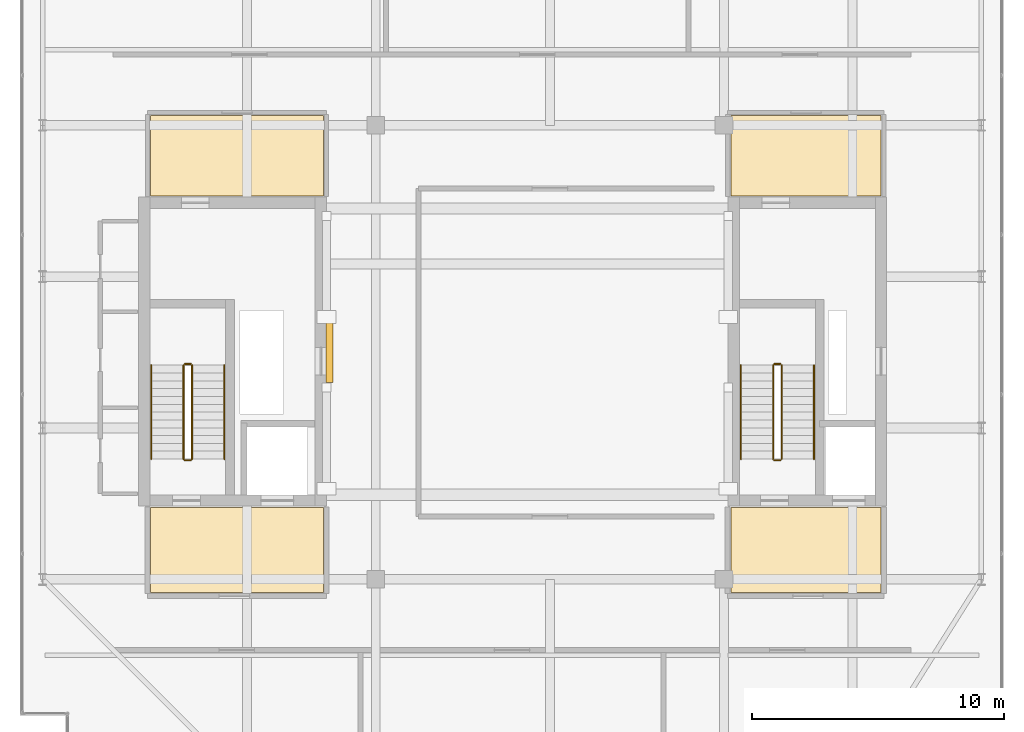
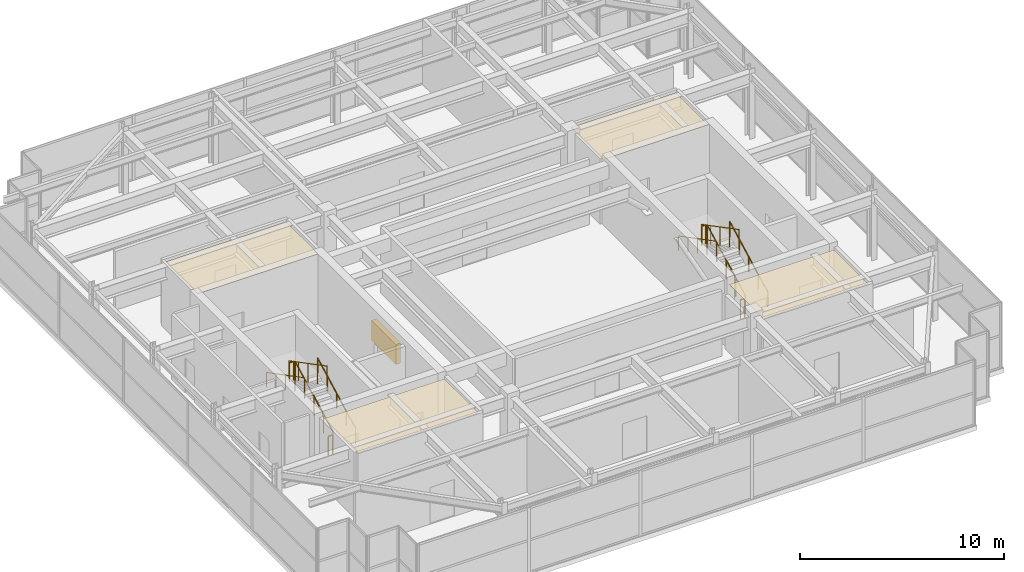
# One storey, part 32 of 32: 12 railings, 4 coverings, 1 shading device.
"""IFC4 building model written with IfcOpenShell, lengths in metres."""

from ifc_helpers import new_model, si_unit, direction, frame, origin, origin_2d, place, context, subcontext, project, spatial, polyline, rectangle, circle, outline, extrude, source, transform, mapped, material, layer, layer_set, type_object, element, save


model = new_model("IFC4")

# Units and contexts
model_context = context("Model", 3, precision=1e-05, world=origin(), true_north=direction((0.0, 1.0)))
body_context = subcontext(model_context, "Body", "Model", "MODEL_VIEW")
ifc_project = project(units=[si_unit("LENGTHUNIT", "METRE"), si_unit("AREAUNIT", "SQUARE_METRE"), si_unit("VOLUMEUNIT", "CUBIC_METRE"), si_unit("PLANEANGLEUNIT", "RADIAN"), si_unit("MASSUNIT", "GRAM", prefix="KILO")], contexts=[model_context])

# Site, building, storey
site_placement = place(None, origin())
site = spatial("IfcSite", under=ifc_project, at=site_placement, CompositionType="ELEMENT")
building_placement = place(site_placement, origin())
building = spatial("IfcBuilding", under=site, at=building_placement, Name="Khoralis Quay Care Tower", CompositionType="ELEMENT")
storey_placement = place(building_placement, frame((0.0, 0.0, 297.89990234375)))
storey = spatial("IfcBuildingStorey", under=building, at=storey_placement, Name="L78", CompositionType="ELEMENT", Elevation=297.89990234375)

# Coverings
ifc_material_1 = material(Name="Mineral-fibre acoustic ceiling tile")
ifc_layer_1 = layer(ifc_material_1, 0.01806640625)
ifc_layer_set_1 = layer_set([ifc_layer_1], Name="Mineral-fibre acoustic ceiling tile")
covering_type = type_object("IfcCoveringType", Name="COV-CEIL-AC18", PredefinedType="CEILING", material=ifc_layer_set_1)
covering_1_placement = place(storey_placement, frame((0.0, 0.0, 3.772216796875)))
element("IfcCovering", 1, at=covering_1_placement, inside=storey, type_object=covering_type, Name="Suspended Acoustic Ceiling SP-L78-FFLOB-W", PredefinedType="CEILING", context=body_context, shape_type="SweptSolid", body=[
    extrude(outline(polyline([(8.179931640625, 11.47998046875), (15.02001953125, 11.47998046875), (15.02001953125, 14.85009765625), (8.179931640625, 14.85009765625), (8.179931640625, 11.47998046875)])), origin(), (0.0, 0.0, 1.0), 0.017822265625),
])
covering_2_placement = place(storey_placement, frame((0.0, 0.0, 3.772216796875)))
element("IfcCovering", 2, at=covering_2_placement, inside=storey, type_object=covering_type, Name="Suspended Acoustic Ceiling SP-L78-FFLOB-E", PredefinedType="CEILING", context=body_context, shape_type="SweptSolid", body=[
    extrude(outline(polyline([(31.179931640625, 11.47998046875), (37.1201171875, 11.47998046875), (37.1201171875, 14.85009765625), (31.179931640625, 14.85009765625), (31.179931640625, 11.47998046875)])), origin(), (0.0, 0.0, 1.0), 0.017822265625),
])
covering_3_placement = place(storey_placement, frame((0.0, 0.0, 3.772216796875)))
element("IfcCovering", 3, at=covering_3_placement, inside=storey, type_object=covering_type, Name="Suspended Acoustic Ceiling SP-L78-LLOB-W", PredefinedType="CEILING", context=body_context, shape_type="SweptSolid", body=[
    extrude(outline(polyline([(8.179931640625, 27.199951171875), (15.02001953125, 27.199951171875), (15.02001953125, 30.389892578125), (8.179931640625, 30.389892578125), (8.179931640625, 27.199951171875)])), origin(), (0.0, 0.0, 1.0), 0.017822265625),
])
covering_4_placement = place(storey_placement, frame((0.0, 0.0, 3.772216796875)))
element("IfcCovering", 4, at=covering_4_placement, inside=storey, type_object=covering_type, Name="Suspended Acoustic Ceiling SP-L78-LLOB-E", PredefinedType="CEILING", context=body_context, shape_type="SweptSolid", body=[
    extrude(outline(polyline([(31.179931640625, 27.199951171875), (37.1201171875, 27.199951171875), (37.1201171875, 30.389892578125), (31.179931640625, 30.389892578125), (31.179931640625, 27.199951171875)])), origin(), (0.0, 0.0, 1.0), 0.017822265625),
])

# Railings
ifc_material_2 = material(Name="Brushed stainless steel", Category="steel")
railing_type_1 = type_object("IfcRailingType", Name="RL-GUARD-1150", PredefinedType="GUARDRAIL", material=ifc_material_2)
railing_1_placement = place(storey_placement, frame((9.820068359375, 16.77001953125, 0.16162109375)))
element("IfcRailing", 5, at=railing_1_placement, inside=storey, type_object=railing_type_1, Name="L78 ST-T1 stair guard 1", PredefinedType="GUARDRAIL", context=body_context, shape_type="SweptSolid", body=[
    extrude(circle(Radius=0.02392578125, at=origin_2d()), frame((0.0, 0.0, 1.1259765625), z_axis=(0.0, 0.886817194535, 0.462120399331), x_axis=(-1.0, 0.0, 0.0)), (0.0, 0.0, 1.0), 4.19482421875),
    extrude(circle(Radius=0.02099609375, at=origin_2d()), origin(), (0.0, 0.0, 1.0), 1.101806640625),
    extrude(circle(Radius=0.02099609375, at=origin_2d()), frame((0.0, 0.929931640625, 0.484619140625)), (0.0, 0.0, 1.0), 1.101806640625),
    extrude(circle(Radius=0.02099609375, at=origin_2d()), frame((0.0, 1.85986328125, 0.96923828125)), (0.0, 0.0, 1.0), 1.101806640625),
    extrude(circle(Radius=0.02099609375, at=origin_2d()), frame((0.0, 2.7900390625, 1.453857421875)), (0.0, 0.0, 1.0), 1.101806640625),
    extrude(circle(Radius=0.02099609375, at=origin_2d()), frame((0.0, 3.719970703125, 1.9384765625)), (0.0, 0.0, 1.0), 1.101806640625),
])
railing_2_placement = place(storey_placement, frame((9.77001953125, 20.5400390625, 2.10009765625)))
element("IfcRailing", 6, at=railing_2_placement, inside=storey, type_object=railing_type_1, Name="L78 ST-T1 stair guard 2", PredefinedType="GUARDRAIL", context=body_context, shape_type="SweptSolid", body=[
    extrude(circle(Radius=0.02392578125, at=origin_2d()), frame((0.0, 0.0, 1.1259765625), z_axis=(-1.0, 0.0, 0.0), x_axis=(0.0, -1.0, 0.0)), (0.0, 0.0, 1.0), 0.239990234375),
    extrude(circle(Radius=0.02099609375, at=origin_2d()), origin(), (0.0, 0.0, 1.0), 1.101806640625),
    extrude(circle(Radius=0.02099609375, at=origin_2d()), frame((-0.239990234375, 0.0, 0.0)), (0.0, 0.0, 1.0), 1.101806640625),
])
railing_3_placement = place(storey_placement, frame((9.47998046875, 20.489990234375, 2.26171875)))
element("IfcRailing", 7, at=railing_3_placement, inside=storey, type_object=railing_type_1, Name="L78 ST-T1 stair guard 3", PredefinedType="GUARDRAIL", context=body_context, shape_type="SweptSolid", body=[
    extrude(circle(Radius=0.02392578125, at=origin_2d()), frame((0.0, 0.0, 1.1259765625), z_axis=(0.0, -0.886817194535, 0.462120399331), x_axis=(1.0, 0.0, 0.0)), (0.0, 0.0, 1.0), 4.19482421875),
    extrude(circle(Radius=0.02099609375, at=origin_2d()), origin(), (0.0, 0.0, 1.0), 1.101806640625),
    extrude(circle(Radius=0.02099609375, at=origin_2d()), frame((0.0, -0.929931640625, 0.484619140625)), (0.0, 0.0, 1.0), 1.101806640625),
    extrude(circle(Radius=0.02099609375, at=origin_2d()), frame((0.0, -1.85986328125, 0.96923828125)), (0.0, 0.0, 1.0), 1.101806640625),
    extrude(circle(Radius=0.02099609375, at=origin_2d()), frame((0.0, -2.7900390625, 1.453857421875)), (0.0, 0.0, 1.0), 1.101806640625),
    extrude(circle(Radius=0.02099609375, at=origin_2d()), frame((0.0, -3.719970703125, 1.9384765625)), (0.0, 0.0, 1.0), 1.101806640625),
])
railing_4_placement = place(storey_placement, frame((9.77001953125, 16.719970703125, 0.0)))
element("IfcRailing", 8, at=railing_4_placement, inside=storey, type_object=railing_type_1, Name="L78 ST-T1 stair guard 4", PredefinedType="GUARDRAIL", context=body_context, shape_type="SweptSolid", body=[
    extrude(circle(Radius=0.02392578125, at=origin_2d()), frame((0.0, 0.0, 1.1259765625), z_axis=(-1.0, 0.0, 0.0), x_axis=(0.0, -1.0, 0.0)), (0.0, 0.0, 1.0), 0.239990234375),
    extrude(circle(Radius=0.02099609375, at=origin_2d()), origin(), (0.0, 0.0, 1.0), 1.101806640625),
    extrude(circle(Radius=0.02099609375, at=origin_2d()), frame((-0.239990234375, 0.0, 0.0)), (0.0, 0.0, 1.0), 1.101806640625),
])
railing_5_placement = place(storey_placement, frame((33.18994140625, 16.77001953125, 0.16162109375)))
element("IfcRailing", 9, at=railing_5_placement, inside=storey, type_object=railing_type_1, Name="L78 ST-T2 stair guard 1", PredefinedType="GUARDRAIL", context=body_context, shape_type="SweptSolid", body=[
    extrude(circle(Radius=0.02392578125, at=origin_2d()), frame((0.0, 0.0, 1.1259765625), z_axis=(0.0, 0.886817194535, 0.462120399331), x_axis=(-1.0, 0.0, 0.0)), (0.0, 0.0, 1.0), 4.19482421875),
    extrude(circle(Radius=0.02099609375, at=origin_2d()), origin(), (0.0, 0.0, 1.0), 1.101806640625),
    extrude(circle(Radius=0.02099609375, at=origin_2d()), frame((0.0, 0.929931640625, 0.484619140625)), (0.0, 0.0, 1.0), 1.101806640625),
    extrude(circle(Radius=0.02099609375, at=origin_2d()), frame((0.0, 1.85986328125, 0.96923828125)), (0.0, 0.0, 1.0), 1.101806640625),
    extrude(circle(Radius=0.02099609375, at=origin_2d()), frame((0.0, 2.7900390625, 1.453857421875)), (0.0, 0.0, 1.0), 1.101806640625),
    extrude(circle(Radius=0.02099609375, at=origin_2d()), frame((0.0, 3.719970703125, 1.9384765625)), (0.0, 0.0, 1.0), 1.101806640625),
])
railing_6_placement = place(storey_placement, frame((33.139892578125, 20.5400390625, 2.10009765625)))
element("IfcRailing", 10, at=railing_6_placement, inside=storey, type_object=railing_type_1, Name="L78 ST-T2 stair guard 2", PredefinedType="GUARDRAIL", context=body_context, shape_type="SweptSolid", body=[
    extrude(circle(Radius=0.02392578125, at=origin_2d()), frame((0.0, 0.0, 1.1259765625), z_axis=(-1.0, 0.0, 0.0), x_axis=(0.0, -1.0, 0.0)), (0.0, 0.0, 1.0), 0.239990234375),
    extrude(circle(Radius=0.02099609375, at=origin_2d()), origin(), (0.0, 0.0, 1.0), 1.101806640625),
    extrude(circle(Radius=0.02099609375, at=origin_2d()), frame((-0.239990234375, 0.0, 0.0)), (0.0, 0.0, 1.0), 1.101806640625),
])
railing_7_placement = place(storey_placement, frame((32.85009765625, 20.489990234375, 2.26171875)))
element("IfcRailing", 11, at=railing_7_placement, inside=storey, type_object=railing_type_1, Name="L78 ST-T2 stair guard 3", PredefinedType="GUARDRAIL", context=body_context, shape_type="SweptSolid", body=[
    extrude(circle(Radius=0.02392578125, at=origin_2d()), frame((0.0, 0.0, 1.1259765625), z_axis=(0.0, -0.886817194535, 0.462120399331), x_axis=(1.0, 0.0, 0.0)), (0.0, 0.0, 1.0), 4.19482421875),
    extrude(circle(Radius=0.02099609375, at=origin_2d()), origin(), (0.0, 0.0, 1.0), 1.101806640625),
    extrude(circle(Radius=0.02099609375, at=origin_2d()), frame((0.0, -0.929931640625, 0.484619140625)), (0.0, 0.0, 1.0), 1.101806640625),
    extrude(circle(Radius=0.02099609375, at=origin_2d()), frame((0.0, -1.85986328125, 0.96923828125)), (0.0, 0.0, 1.0), 1.101806640625),
    extrude(circle(Radius=0.02099609375, at=origin_2d()), frame((0.0, -2.7900390625, 1.453857421875)), (0.0, 0.0, 1.0), 1.101806640625),
    extrude(circle(Radius=0.02099609375, at=origin_2d()), frame((0.0, -3.719970703125, 1.9384765625)), (0.0, 0.0, 1.0), 1.101806640625),
])
railing_8_placement = place(storey_placement, frame((33.139892578125, 16.719970703125, 0.0)))
element("IfcRailing", 12, at=railing_8_placement, inside=storey, type_object=railing_type_1, Name="L78 ST-T2 stair guard 4", PredefinedType="GUARDRAIL", context=body_context, shape_type="SweptSolid", body=[
    extrude(circle(Radius=0.02392578125, at=origin_2d()), frame((0.0, 0.0, 1.1259765625), z_axis=(-1.0, 0.0, 0.0), x_axis=(0.0, -1.0, 0.0)), (0.0, 0.0, 1.0), 0.239990234375),
    extrude(circle(Radius=0.02099609375, at=origin_2d()), origin(), (0.0, 0.0, 1.0), 1.101806640625),
    extrude(circle(Radius=0.02099609375, at=origin_2d()), frame((-0.239990234375, 0.0, 0.0)), (0.0, 0.0, 1.0), 1.101806640625),
])
railing_type_2 = type_object("IfcRailingType", Name="RL-HAND-900", PredefinedType="HANDRAIL", material=ifc_material_2)
railing_9_placement = place(storey_placement, frame((11.10009765625, 16.77001953125, 0.16162109375)))
element("IfcRailing", 13, at=railing_9_placement, inside=storey, type_object=railing_type_2, Name="L78 ST-T1 stair handrail 1", PredefinedType="HANDRAIL", context=body_context, shape_type="SweptSolid", body=[
    extrude(circle(Radius=0.02392578125, at=origin_2d()), frame((0.0, 0.0, 0.8759765625), z_axis=(0.0, 0.886817194535, 0.462120399331), x_axis=(-1.0, 0.0, 0.0)), (0.0, 0.0, 1.0), 4.19482421875),
    extrude(circle(Radius=0.02099609375, at=origin_2d()), origin(), (0.0, 0.0, 1.0), 0.851806640625),
    extrude(circle(Radius=0.02099609375, at=origin_2d()), frame((0.0, 0.929931640625, 0.484619140625)), (0.0, 0.0, 1.0), 0.851806640625),
    extrude(circle(Radius=0.02099609375, at=origin_2d()), frame((0.0, 1.85986328125, 0.96923828125)), (0.0, 0.0, 1.0), 0.851806640625),
    extrude(circle(Radius=0.02099609375, at=origin_2d()), frame((0.0, 2.7900390625, 1.453857421875)), (0.0, 0.0, 1.0), 0.851806640625),
    extrude(circle(Radius=0.02099609375, at=origin_2d()), frame((0.0, 3.719970703125, 1.9384765625)), (0.0, 0.0, 1.0), 0.851806640625),
])
railing_10_placement = place(storey_placement, frame((8.199951171875, 20.489990234375, 2.26171875)))
element("IfcRailing", 14, at=railing_10_placement, inside=storey, type_object=railing_type_2, Name="L78 ST-T1 stair handrail 2", PredefinedType="HANDRAIL", context=body_context, shape_type="SweptSolid", body=[
    extrude(circle(Radius=0.02392578125, at=origin_2d()), frame((0.0, 0.0, 0.8759765625), z_axis=(0.0, -0.886817194535, 0.462120399331), x_axis=(1.0, 0.0, 0.0)), (0.0, 0.0, 1.0), 4.19482421875),
    extrude(circle(Radius=0.02099609375, at=origin_2d()), origin(), (0.0, 0.0, 1.0), 0.851806640625),
    extrude(circle(Radius=0.02099609375, at=origin_2d()), frame((0.0, -0.929931640625, 0.484619140625)), (0.0, 0.0, 1.0), 0.851806640625),
    extrude(circle(Radius=0.02099609375, at=origin_2d()), frame((0.0, -1.85986328125, 0.96923828125)), (0.0, 0.0, 1.0), 0.851806640625),
    extrude(circle(Radius=0.02099609375, at=origin_2d()), frame((0.0, -2.7900390625, 1.453857421875)), (0.0, 0.0, 1.0), 0.851806640625),
    extrude(circle(Radius=0.02099609375, at=origin_2d()), frame((0.0, -3.719970703125, 1.9384765625)), (0.0, 0.0, 1.0), 0.851806640625),
])
railing_11_placement = place(storey_placement, frame((34.469970703125, 16.77001953125, 0.16162109375)))
element("IfcRailing", 15, at=railing_11_placement, inside=storey, type_object=railing_type_2, Name="L78 ST-T2 stair handrail 1", PredefinedType="HANDRAIL", context=body_context, shape_type="SweptSolid", body=[
    extrude(circle(Radius=0.02392578125, at=origin_2d()), frame((0.0, 0.0, 0.8759765625), z_axis=(0.0, 0.886817194535, 0.462120399331), x_axis=(-1.0, 0.0, 0.0)), (0.0, 0.0, 1.0), 4.19482421875),
    extrude(circle(Radius=0.02099609375, at=origin_2d()), origin(), (0.0, 0.0, 1.0), 0.851806640625),
    extrude(circle(Radius=0.02099609375, at=origin_2d()), frame((0.0, 0.929931640625, 0.484619140625)), (0.0, 0.0, 1.0), 0.851806640625),
    extrude(circle(Radius=0.02099609375, at=origin_2d()), frame((0.0, 1.85986328125, 0.96923828125)), (0.0, 0.0, 1.0), 0.851806640625),
    extrude(circle(Radius=0.02099609375, at=origin_2d()), frame((0.0, 2.7900390625, 1.453857421875)), (0.0, 0.0, 1.0), 0.851806640625),
    extrude(circle(Radius=0.02099609375, at=origin_2d()), frame((0.0, 3.719970703125, 1.9384765625)), (0.0, 0.0, 1.0), 0.851806640625),
])
railing_12_placement = place(storey_placement, frame((31.570068359375, 20.489990234375, 2.26171875)))
element("IfcRailing", 16, at=railing_12_placement, inside=storey, type_object=railing_type_2, Name="L78 ST-T2 stair handrail 2", PredefinedType="HANDRAIL", context=body_context, shape_type="SweptSolid", body=[
    extrude(circle(Radius=0.02392578125, at=origin_2d()), frame((0.0, 0.0, 0.8759765625), z_axis=(0.0, -0.886817194535, 0.462120399331), x_axis=(1.0, 0.0, 0.0)), (0.0, 0.0, 1.0), 4.19482421875),
    extrude(circle(Radius=0.02099609375, at=origin_2d()), origin(), (0.0, 0.0, 1.0), 0.851806640625),
    extrude(circle(Radius=0.02099609375, at=origin_2d()), frame((0.0, -0.929931640625, 0.484619140625)), (0.0, 0.0, 1.0), 0.851806640625),
    extrude(circle(Radius=0.02099609375, at=origin_2d()), frame((0.0, -1.85986328125, 0.96923828125)), (0.0, 0.0, 1.0), 0.851806640625),
    extrude(circle(Radius=0.02099609375, at=origin_2d()), frame((0.0, -2.7900390625, 1.453857421875)), (0.0, 0.0, 1.0), 0.851806640625),
    extrude(circle(Radius=0.02099609375, at=origin_2d()), frame((0.0, -3.719970703125, 1.9384765625)), (0.0, 0.0, 1.0), 0.851806640625),
])

# Shading device
ifc_material_3 = material(Name="Brushed pale anodised aluminium", Category="aluminium")
ifc_layer_2 = layer(ifc_material_3, 0.080078125)
ifc_layer_set_2 = layer_set([ifc_layer_2], Name="Brushed pale anodised aluminium")
shading_device_type = type_object("IfcShadingDeviceType", Name="SHD-LOUVRE-300", PredefinedType="USERDEFINED", material=ifc_layer_set_2)
shared_shape = source(origin(), body_context, "Body", "SweptSolid", [
    extrude(rectangle(XDim=0.280029296875, YDim=2.39990234375, at=origin_2d()), origin(), (0.0, 0.0, 1.0), 1.199951171875),
])
shading_device_placement = place(storey_placement, frame((15.27001953125, 21.0, 1.60009765625), z_axis=(0.0, 0.0, 1.0), x_axis=(1.0, 0.0, 0.0)))
element("IfcShadingDevice", 17, at=shading_device_placement, inside=storey, type_object=shading_device_type, Name="L78 Lantern Acoustic Intake Louvre", ObjectType="LOUVRE", PredefinedType="USERDEFINED", context=body_context, shape_type="MappedRepresentation", body=[
    mapped(shared_shape, transform((0.0, 0.0, 0.0), scale=1.0)),
])

save(model, "model.ifc")
